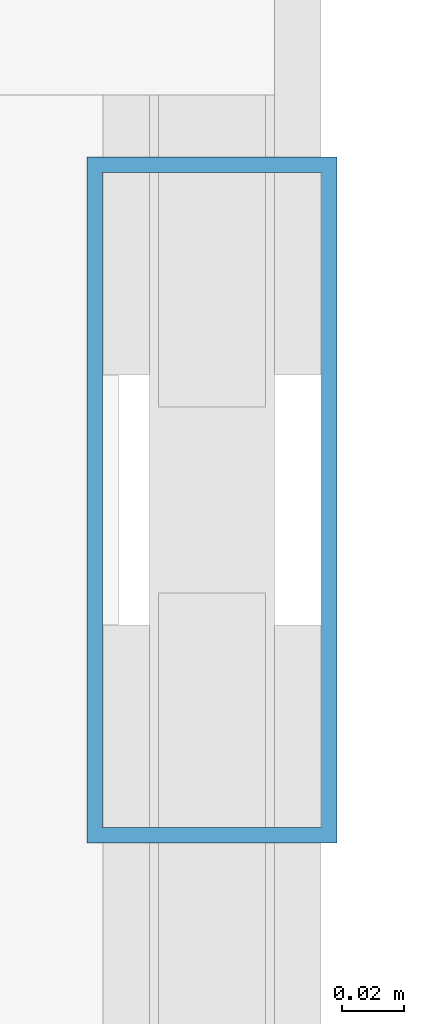
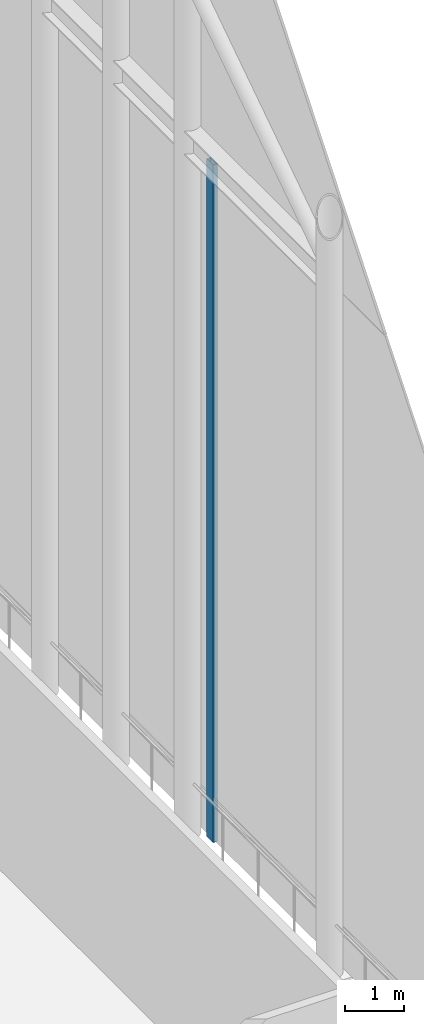
# One storey, part 20 of 42: 1 member, 1 element without a shape of its own.
"""IFC4 building model written with IfcOpenShell, lengths in metres."""

from ifc_helpers import new_model, si_unit, direction, frame, origin, origin_2d, place, context, subcontext, project, spatial, hollow_rectangle, extrude, material, layer, layer_set, material_profile, profile_set, type_object, element, aggregate, save


model = new_model("IFC4")

# Units and contexts
model_context = context("Model", 3, precision=1e-05, world=origin(), true_north=direction((0.0, 1.0)))
body_context = subcontext(model_context, "Body", "Model", "MODEL_VIEW")
ifc_project = project(units=[si_unit("LENGTHUNIT", "METRE"), si_unit("AREAUNIT", "SQUARE_METRE"), si_unit("VOLUMEUNIT", "CUBIC_METRE"), si_unit("PLANEANGLEUNIT", "RADIAN"), si_unit("MASSUNIT", "GRAM", prefix="KILO")], contexts=[model_context])

# Site, building, storey
site_placement = place(None, origin())
site = spatial("IfcSite", under=ifc_project, at=site_placement, CompositionType="ELEMENT")
building_placement = place(site_placement, origin())
building = spatial("IfcBuilding", under=site, at=building_placement, Name="Kallvorn Hotel Tower", CompositionType="ELEMENT")
storey_placement = place(building_placement, frame((0.0, 0.0, 306.0)))
storey = spatial("IfcBuildingStorey", under=building, at=storey_placement, Name="ROOF", CompositionType="ELEMENT", Elevation=306.0)

# Curtain wall, member
ifc_material_1 = material(Name="Thermally broken black-anodised aluminium AA 6063-T6", Category="aluminium")
ifc_layer = layer(ifc_material_1, 0.18994140625)
ifc_layer_set = layer_set([ifc_layer], Name="CW_SYS_7_CROWN_DRUM")
curtain_wall_type = type_object("IfcCurtainWallType", Name="CW_SYS_7_CROWN_DRUM", PredefinedType="USERDEFINED", material=ifc_layer_set)
curtain_wall_placement = place(storey_placement, origin())
curtain_wall = element("IfcCurtainWall", 1, at=curtain_wall_placement, inside=storey, type_object=curtain_wall_type, Name="ROOF Dark-Glass Curtain Wall CW-ROOF-E1", ObjectType="UNITISED CURTAIN WALL", PredefinedType="USERDEFINED")
ifc_material_2 = material(Name="Thermally broken black-anodised aluminium AA 6063-T6", Category="aluminium")
ifc_material_profile = material_profile(ifc_material_2, hollow_rectangle(XDim=0.080078125, YDim=0.219970703125, WallThickness=0.0048828125, at=origin_2d()), Name="MUL 220x80")
ifc_profile_set = profile_set([ifc_material_profile], Name="Thermally broken black-anodised aluminium AA 6063-T6")
member_type = type_object("IfcMemberType", Name="CW_MULLION_220x80", PredefinedType="MULLION", material=ifc_profile_set)
member_placement = place(storey_placement, frame((24.25, -10.0, 0.02001953125), z_axis=(0.0, 0.0, 1.0), x_axis=(1.0, 0.0, 0.0)))
member = element("IfcMember", 2, at=member_placement, type_object=member_type, Name="CW-ROOF-E1 Mullion 01", PredefinedType="MULLION", context=body_context, shape_type="SweptSolid", body=[
    extrude(hollow_rectangle(XDim=0.080078125, YDim=0.219970703125, WallThickness=0.0048828125, at=origin_2d()), origin(), (0.0, 0.0, 1.0), 13.9599609375),
])
aggregate(curtain_wall, [member])

save(model, "model.ifc")
